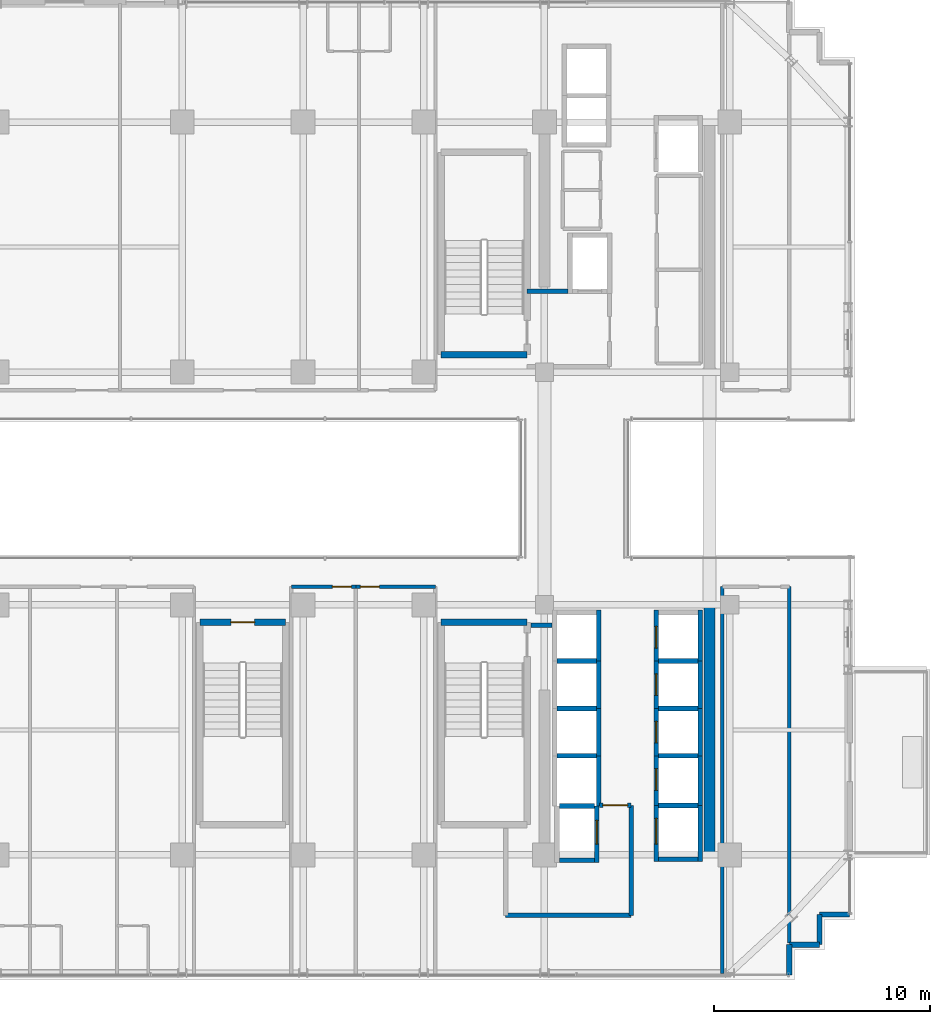
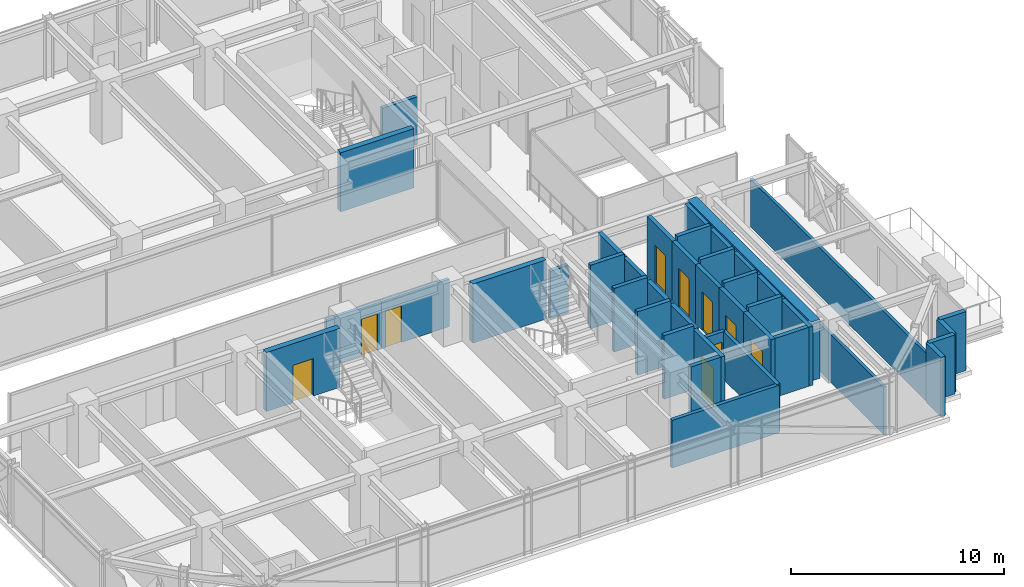
# One storey, part 30 of 36: 42 walls, 10 doors, 10 openings.
"""IFC4 building model written with IfcOpenShell, lengths in metres."""

from ifc_helpers import new_model, si_unit, direction, frame, frame_2d, origin, place, context, subcontext, project, spatial, rectangle, extrude, source, transform, mapped, material, layer, layer_set, type_object, element, fill, save


model = new_model("IFC4")

# Units and contexts
model_context = context("Model", 3, precision=1e-05, world=origin(), true_north=direction((0.0, 1.0)))
body_context = subcontext(model_context, "Body", "Model", "MODEL_VIEW")
ifc_project = project(units=[si_unit("LENGTHUNIT", "METRE"), si_unit("AREAUNIT", "SQUARE_METRE"), si_unit("VOLUMEUNIT", "CUBIC_METRE"), si_unit("PLANEANGLEUNIT", "RADIAN"), si_unit("MASSUNIT", "GRAM", prefix="KILO")], contexts=[model_context])

# Site, building, storey
site_placement = place(None, origin())
site = spatial("IfcSite", under=ifc_project, at=site_placement, CompositionType="ELEMENT")
building_placement = place(site_placement, origin())
building = spatial("IfcBuilding", under=site, at=building_placement, Name="Nahalor Promenade Grand Hotel", CompositionType="ELEMENT")
storey_placement = place(building_placement, frame((0.0, 0.0, 174.550048828125)))
storey = spatial("IfcBuildingStorey", under=building, at=storey_placement, Name="L44", CompositionType="ELEMENT", Elevation=174.550048828125)

# Walls
ifc_material_1 = material(Name="Concrete B-60 (C50/60)", Category="concrete")
ifc_layer_1 = layer(ifc_material_1, 0.5)
ifc_layer_set_1 = layer_set([ifc_layer_1], Name="Concrete B-60 (C50/60)")
wall_type_1 = type_object("IfcWallType", Name="Wall-CoreShear-500", PredefinedType="SHEAR", material=ifc_layer_set_1)
shared_shape_1 = source(origin(), body_context, "Body", "SweptSolid", [
    extrude(rectangle(XDim=11.60009765625, YDim=0.5, at=frame_2d((5.800048828125, 0.0))), origin(), (0.0, 0.0, 1.0), 3.389892578125),
])
wall_1_placement = place(storey_placement, frame((16.050048828125, -17.0, 0.0), z_axis=(0.0, 0.0, 1.0), x_axis=(0.0, 1.0, 0.0)))
element("IfcWall", 1, at=wall_1_placement, inside=storey, type_object=wall_type_1, Name="CWALL-L44-SE", PredefinedType="SHEAR", context=body_context, shape_type="MappedRepresentation", body=[
    mapped(shared_shape_1, transform((0.0, 0.0, 0.0), scale=1.0)),
])
ifc_material_2 = material(Name="Concrete B-50 (C40/50)", Category="concrete")
ifc_layer_2 = layer(ifc_material_2, 0.300048828125)
ifc_layer_set_2 = layer_set([ifc_layer_2], Name="Concrete B-50 (C40/50)")
wall_type_2 = type_object("IfcWallType", Name="Wall-ShaftShear-300", PredefinedType="SHEAR", material=ifc_layer_set_2)
shared_shape_2 = source(origin(), body_context, "Body", "SweptSolid", [
    extrude(rectangle(XDim=3.97998046875, YDim=0.300048828125, at=frame_2d((1.989990234375, 0.0))), origin(), (0.0, 0.0, 1.0), 3.389892578125),
])
for number, where, z_axis, x_axis, name in (
    (2, (3.610107421875, 6.2099609375, 0.0), (0.0, 0.0, 1.0), (1.0, 0.0, 0.0), "L44 Exit Stair ST1 Shaft Wall S"),
    (3, (3.610107421875, -6.2099609375, 0.0), (0.0, 0.0, 1.0), (1.0, 0.0, 0.0), "L44 Exit Stair ST2 Shaft Wall N"),
):
    element("IfcWall", number, at=place(storey_placement, frame(where, z_axis=z_axis, x_axis=x_axis)), inside=storey, type_object=wall_type_2, Name=name, PredefinedType="SHEAR", context=body_context, shape_type="MappedRepresentation", body=[
        mapped(shared_shape_2, transform((0.0, 0.0, 0.0), scale=1.0)),
    ])

# Wall, opening, door
wall_2_placement = place(storey_placement, frame((-7.590087890625, -6.2099609375, 0.0), z_axis=(0.0, 0.0, 1.0), x_axis=(1.0, 0.0, 0.0)))
wall_2 = element("IfcWall", 4, at=wall_2_placement, inside=storey, type_object=wall_type_2, Name="L44 Exit Stair ST3 Shaft Wall N", PredefinedType="SHEAR", context=body_context, shape_type="MappedRepresentation", body=[
    mapped(shared_shape_2, transform((0.0, 0.0, 0.0), scale=1.0)),
])
opening_1_placement = place(wall_2_placement, frame((1.43994140625, 0.0, 0.0)))
opening_1 = element("IfcOpeningElement", 5, at=opening_1_placement, cuts=wall_2, Name="Opening D-ST1", PredefinedType="OPENING", context=body_context, shape_type="SweptSolid", body=[
    extrude(rectangle(XDim=1.10009765625, YDim=2.14990234375, at=frame_2d((0.550048828125, 1.074951171875))), frame((0.0, 0.159912109375, 0.0), z_axis=(0.0, -1.0, 0.0), x_axis=(1.0, 0.0, 0.0)), (0.0, 0.0, 1.0), 0.320068359375),
])
ifc_material_3 = material(Name="Steel S355JR", Category="steel")
door_type_1 = type_object("IfcDoorType", Name="Door-StairFire-1100", OperationType="NOTDEFINED", PredefinedType="DOOR", material=ifc_material_3)
shared_shape_3 = source(origin(), body_context, "Body", "SweptSolid", [
    extrude(rectangle(XDim=1.10009765625, YDim=2.14990234375, at=frame_2d((0.550048828125, 1.074951171875))), frame((0.0, 0.02490234375, 0.0), z_axis=(0.0, -1.0, 0.0), x_axis=(1.0, 0.0, 0.0)), (0.0, 0.0, 1.0), 0.050048828125),
])
door_1_placement = place(opening_1_placement, frame((1.10009765625, 0.0, 0.0), z_axis=(0.0, 0.0, 1.0), x_axis=(-1.0, 0.0, 0.0)))
door_1 = element("IfcDoor", 6, at=door_1_placement, inside=storey, type_object=door_type_1, Name="DR-STAIR-ST3-L44", OperationType="SINGLE_SWING_LEFT", OverallHeight=2.14990234375, OverallWidth=1.10009765625, PredefinedType="DOOR", context=body_context, shape_type="MappedRepresentation", body=[
    mapped(shared_shape_3, transform((0.0, 0.0, 0.0), scale=1.0)),
])
fill(opening_1, door_1)

# Walls
ifc_layer_3 = layer(ifc_material_2, 0.219970703125)
ifc_layer_set_3 = layer_set([ifc_layer_3], Name="Concrete B-50 (C40/50)")
wall_type_3 = type_object("IfcWallType", Name="Wall-LiftShaft-220", PredefinedType="SHEAR", material=ifc_layer_set_3)
shared_shape_4 = source(origin(), body_context, "Body", "SweptSolid", [
    extrude(rectangle(XDim=1.820068359375, YDim=0.219970703125, at=frame_2d((0.91015625, 0.0))), origin(), (0.0, 0.0, 1.0), 3.64990234375),
])
for number, where, z_axis, x_axis, name in (
    (7, (13.68994140625, -8.0, 0.0), (0.0, 0.0, 1.0), (1.0, 0.0, 0.0), "L44 Lift PL6 Hoistway Wall N"),
    (8, (13.68994140625, -10.199951171875, 0.0), (0.0, 0.0, 1.0), (1.0, 0.0, 0.0), "L44 Lift PL7 Hoistway Wall N"),
    (9, (13.68994140625, -12.39990234375, 0.0), (0.0, 0.0, 1.0), (1.0, 0.0, 0.0), "L44 Lift PL8 Hoistway Wall N"),
    (10, (8.989990234375, -8.0, 0.0), (0.0, 0.0, 1.0), (1.0, 0.0, 0.0), "L44 Lift PL10 Hoistway Wall N"),
    (11, (8.989990234375, -10.199951171875, 0.0), (0.0, 0.0, 1.0), (1.0, 0.0, 0.0), "L44 Lift PL11 Hoistway Wall N"),
    (12, (8.989990234375, -12.39990234375, 0.0), (0.0, 0.0, 1.0), (1.0, 0.0, 0.0), "L44 Lift PL12 Hoistway Wall N"),
    (13, (13.68994140625, -14.699951171875, 0.0), (0.0, 0.0, 1.0), (1.0, 0.0, 0.0), "L44 Lift SV2 Hoistway Wall N"),
):
    element("IfcWall", number, at=place(storey_placement, frame(where, z_axis=z_axis, x_axis=x_axis)), inside=storey, type_object=wall_type_3, Name=name, PredefinedType="SHEAR", context=body_context, shape_type="MappedRepresentation", body=[
        mapped(shared_shape_4, transform((0.0, 0.0, 0.0), scale=1.0)),
    ])

# Wall, opening, door
shared_shape_5 = source(origin(), body_context, "Body", "SweptSolid", [
    extrude(rectangle(XDim=2.360107421875, YDim=0.219970703125, at=frame_2d((1.18017578125, 0.0))), origin(), (0.0, 0.0, 1.0), 3.389892578125),
])
wall_3_placement = place(storey_placement, frame((13.580078125, -8.0, 0.0), z_axis=(0.0, 0.0, 1.0), x_axis=(0.0, 1.0, 0.0)))
wall_3 = element("IfcWall", 14, at=wall_3_placement, inside=storey, type_object=wall_type_3, Name="L44 Lift PL5 Hoistway Wall W", PredefinedType="SHEAR", context=body_context, shape_type="MappedRepresentation", body=[
    mapped(shared_shape_5, transform((0.0, 0.0, 0.0), scale=1.0)),
])
opening_2_placement = place(wall_3_placement, frame((0.60009765625, 0.0, 0.0)))
opening_2 = element("IfcOpeningElement", 15, at=opening_2_placement, cuts=wall_3, Name="Opening LD-01", PredefinedType="OPENING", context=body_context, shape_type="SweptSolid", body=[
    extrude(rectangle(XDim=1.0, YDim=2.199951171875, at=frame_2d((0.5, 1.10009765625))), frame((0.0, 0.119873046875, 0.0), z_axis=(0.0, -1.0, 0.0), x_axis=(1.0, 0.0, 0.0)), (0.0, 0.0, 1.0), 0.239990234375),
])
door_type_2 = type_object("IfcDoorType", Name="Door-LiftLanding-1000", OperationType="DOUBLE_DOOR_SLIDING", PredefinedType="DOOR", material=ifc_material_3)
shared_shape_6 = source(origin(), body_context, "Body", "SweptSolid", [
    extrude(rectangle(XDim=1.0, YDim=2.199951171875, at=frame_2d((0.5, 1.10009765625))), frame((0.0, 0.02490234375, 0.0), z_axis=(0.0, -1.0, 0.0), x_axis=(1.0, 0.0, 0.0)), (0.0, 0.0, 1.0), 0.050048828125),
])
door_2_placement = place(opening_2_placement, origin())
door_2 = element("IfcDoor", 16, at=door_2_placement, inside=storey, type_object=door_type_2, Name="DR-LIFT-PL5-L44", OperationType="DOUBLE_DOOR_SLIDING", OverallHeight=2.199951171875, OverallWidth=1.0, PredefinedType="DOOR", context=body_context, shape_type="MappedRepresentation", body=[
    mapped(shared_shape_6, transform((0.0, 0.0, 0.0), scale=1.0)),
])
fill(opening_2, door_2)

# Walls
for number, where, z_axis, x_axis, name in (
    (17, (15.6201171875, -8.0, 0.0), (0.0, 0.0, 1.0), (0.0, 1.0, 0.0), "L44 Lift PL5 Hoistway Wall E"),
    (18, (10.919921875, -8.0, 0.0), (0.0, 0.0, 1.0), (0.0, 1.0, 0.0), "L44 Lift PL9 Hoistway Wall E"),
):
    element("IfcWall", number, at=place(storey_placement, frame(where, z_axis=z_axis, x_axis=x_axis)), inside=storey, type_object=wall_type_3, Name=name, PredefinedType="SHEAR", context=body_context, shape_type="MappedRepresentation", body=[
        mapped(shared_shape_5, transform((0.0, 0.0, 0.0), scale=1.0)),
    ])
shared_shape_7 = source(origin(), body_context, "Body", "SweptSolid", [
    extrude(rectangle(XDim=1.820068359375, YDim=0.219970703125, at=frame_2d((0.91015625, 0.0))), origin(), (0.0, 0.0, 1.0), 3.389892578125),
])
wall_4_placement = place(storey_placement, frame((13.68994140625, -17.199951171875, 0.0), z_axis=(0.0, 0.0, 1.0), x_axis=(1.0, 0.0, 0.0)))
element("IfcWall", 19, at=wall_4_placement, inside=storey, type_object=wall_type_3, Name="L44 Lift SV2 Hoistway Wall S", PredefinedType="SHEAR", context=body_context, shape_type="MappedRepresentation", body=[
    mapped(shared_shape_7, transform((0.0, 0.0, 0.0), scale=1.0)),
])

# Wall, opening, door
shared_shape_8 = source(origin(), body_context, "Body", "SweptSolid", [
    extrude(rectangle(XDim=2.199951171875, YDim=0.219970703125, at=frame_2d((1.10009765625, 0.0))), origin(), (0.0, 0.0, 1.0), 3.389892578125),
])
wall_5_placement = place(storey_placement, frame((13.580078125, -10.199951171875, 0.0), z_axis=(0.0, 0.0, 1.0), x_axis=(0.0, 1.0, 0.0)))
wall_5 = element("IfcWall", 20, at=wall_5_placement, inside=storey, type_object=wall_type_3, Name="L44 Lift PL6 Hoistway Wall W", PredefinedType="SHEAR", context=body_context, shape_type="MappedRepresentation", body=[
    mapped(shared_shape_8, transform((0.0, 0.0, 0.0), scale=1.0)),
])
opening_3_placement = place(wall_5_placement, frame((0.60009765625, 0.0, 0.0)))
opening_3 = element("IfcOpeningElement", 21, at=opening_3_placement, cuts=wall_5, Name="Opening LD-01", PredefinedType="OPENING", context=body_context, shape_type="SweptSolid", body=[
    extrude(rectangle(XDim=1.0, YDim=2.199951171875, at=frame_2d((0.5, 1.10009765625))), frame((0.0, 0.119873046875, 0.0), z_axis=(0.0, -1.0, 0.0), x_axis=(1.0, 0.0, 0.0)), (0.0, 0.0, 1.0), 0.239990234375),
])
door_3_placement = place(opening_3_placement, origin())
door_3 = element("IfcDoor", 22, at=door_3_placement, inside=storey, type_object=door_type_2, Name="DR-LIFT-PL6-L44", OperationType="DOUBLE_DOOR_SLIDING", OverallHeight=2.199951171875, OverallWidth=1.0, PredefinedType="DOOR", context=body_context, shape_type="MappedRepresentation", body=[
    mapped(shared_shape_6, transform((0.0, 0.0, 0.0), scale=1.0)),
])
fill(opening_3, door_3)

# Wall
wall_6_placement = place(storey_placement, frame((15.6201171875, -10.199951171875, 0.0), z_axis=(0.0, 0.0, 1.0), x_axis=(0.0, 1.0, 0.0)))
element("IfcWall", 23, at=wall_6_placement, inside=storey, type_object=wall_type_3, Name="L44 Lift PL6 Hoistway Wall E", PredefinedType="SHEAR", context=body_context, shape_type="MappedRepresentation", body=[
    mapped(shared_shape_8, transform((0.0, 0.0, 0.0), scale=1.0)),
])

# Wall, opening, door
wall_7_placement = place(storey_placement, frame((13.580078125, -12.39990234375, 0.0), z_axis=(0.0, 0.0, 1.0), x_axis=(0.0, 1.0, 0.0)))
wall_7 = element("IfcWall", 24, at=wall_7_placement, inside=storey, type_object=wall_type_3, Name="L44 Lift PL7 Hoistway Wall W", PredefinedType="SHEAR", context=body_context, shape_type="MappedRepresentation", body=[
    mapped(shared_shape_8, transform((0.0, 0.0, 0.0), scale=1.0)),
])
opening_4_placement = place(wall_7_placement, frame((0.60009765625, 0.0, 0.0)))
opening_4 = element("IfcOpeningElement", 25, at=opening_4_placement, cuts=wall_7, Name="Opening LD-01", PredefinedType="OPENING", context=body_context, shape_type="SweptSolid", body=[
    extrude(rectangle(XDim=1.0, YDim=2.199951171875, at=frame_2d((0.5, 1.10009765625))), frame((0.0, 0.119873046875, 0.0), z_axis=(0.0, -1.0, 0.0), x_axis=(1.0, 0.0, 0.0)), (0.0, 0.0, 1.0), 0.239990234375),
])
door_4_placement = place(opening_4_placement, origin())
door_4 = element("IfcDoor", 26, at=door_4_placement, inside=storey, type_object=door_type_2, Name="DR-LIFT-PL7-L44", OperationType="DOUBLE_DOOR_SLIDING", OverallHeight=2.199951171875, OverallWidth=1.0, PredefinedType="DOOR", context=body_context, shape_type="MappedRepresentation", body=[
    mapped(shared_shape_6, transform((0.0, 0.0, 0.0), scale=1.0)),
])
fill(opening_4, door_4)

# Walls
for number, where, z_axis, x_axis, name in (
    (27, (15.6201171875, -12.39990234375, 0.0), (0.0, 0.0, 1.0), (0.0, 1.0, 0.0), "L44 Lift PL7 Hoistway Wall E"),
    (28, (10.919921875, -10.199951171875, 0.0), (0.0, 0.0, 1.0), (0.0, 1.0, 0.0), "L44 Lift PL10 Hoistway Wall E"),
    (29, (10.919921875, -12.39990234375, 0.0), (0.0, 0.0, 1.0), (0.0, 1.0, 0.0), "L44 Lift PL11 Hoistway Wall E"),
):
    element("IfcWall", number, at=place(storey_placement, frame(where, z_axis=z_axis, x_axis=x_axis)), inside=storey, type_object=wall_type_3, Name=name, PredefinedType="SHEAR", context=body_context, shape_type="MappedRepresentation", body=[
        mapped(shared_shape_8, transform((0.0, 0.0, 0.0), scale=1.0)),
    ])

# Wall, opening, door
shared_shape_9 = source(origin(), body_context, "Body", "SweptSolid", [
    extrude(rectangle(XDim=2.300048828125, YDim=0.219970703125, at=frame_2d((1.14990234375, 0.0))), origin(), (0.0, 0.0, 1.0), 3.389892578125),
])
wall_8_placement = place(storey_placement, frame((13.580078125, -14.699951171875, 0.0), z_axis=(0.0, 0.0, 1.0), x_axis=(0.0, 1.0, 0.0)))
wall_8 = element("IfcWall", 30, at=wall_8_placement, inside=storey, type_object=wall_type_3, Name="L44 Lift PL8 Hoistway Wall W", PredefinedType="SHEAR", context=body_context, shape_type="MappedRepresentation", body=[
    mapped(shared_shape_9, transform((0.0, 0.0, 0.0), scale=1.0)),
])
opening_5_placement = place(wall_8_placement, frame((0.699951171875, 0.0, 0.0)))
opening_5 = element("IfcOpeningElement", 31, at=opening_5_placement, cuts=wall_8, Name="Opening LD-01", PredefinedType="OPENING", context=body_context, shape_type="SweptSolid", body=[
    extrude(rectangle(XDim=1.0, YDim=2.199951171875, at=frame_2d((0.5, 1.10009765625))), frame((0.0, 0.119873046875, 0.0), z_axis=(0.0, -1.0, 0.0), x_axis=(1.0, 0.0, 0.0)), (0.0, 0.0, 1.0), 0.239990234375),
])
door_5_placement = place(opening_5_placement, origin())
door_5 = element("IfcDoor", 32, at=door_5_placement, inside=storey, type_object=door_type_2, Name="DR-LIFT-PL8-L44", OperationType="DOUBLE_DOOR_SLIDING", OverallHeight=2.199951171875, OverallWidth=1.0, PredefinedType="DOOR", context=body_context, shape_type="MappedRepresentation", body=[
    mapped(shared_shape_6, transform((0.0, 0.0, 0.0), scale=1.0)),
])
fill(opening_5, door_5)

# Walls
wall_9_placement = place(storey_placement, frame((15.6201171875, -14.699951171875, 0.0), z_axis=(0.0, 0.0, 1.0), x_axis=(0.0, 1.0, 0.0)))
element("IfcWall", 33, at=wall_9_placement, inside=storey, type_object=wall_type_3, Name="L44 Lift PL8 Hoistway Wall E", PredefinedType="SHEAR", context=body_context, shape_type="MappedRepresentation", body=[
    mapped(shared_shape_9, transform((0.0, 0.0, 0.0), scale=1.0)),
])
shared_shape_10 = source(origin(), body_context, "Body", "SweptSolid", [
    extrude(rectangle(XDim=2.3251953125, YDim=0.219970703125, at=frame_2d((1.16259765625, 0.0))), origin(), (0.0, 0.0, 1.0), 3.389892578125),
])
wall_10_placement = place(storey_placement, frame((10.919921875, -14.72509765625, 0.0), z_axis=(0.0, 0.0, 1.0), x_axis=(0.0, 1.0, 0.0)))
element("IfcWall", 34, at=wall_10_placement, inside=storey, type_object=wall_type_3, Name="L44 Lift PL12 Hoistway Wall E", PredefinedType="SHEAR", context=body_context, shape_type="MappedRepresentation", body=[
    mapped(shared_shape_10, transform((0.0, 0.0, 0.0), scale=1.0)),
])
shared_shape_11 = source(origin(), body_context, "Body", "SweptSolid", [
    extrude(rectangle(XDim=1.619873046875, YDim=0.219970703125, at=frame_2d((0.81005859375, 0.0))), origin(), (0.0, 0.0, 1.0), 3.64990234375),
])
wall_11_placement = place(storey_placement, frame((9.090087890625, -14.72509765625, 0.0), z_axis=(0.0, 0.0, 1.0), x_axis=(1.0, 0.0, 0.0)))
element("IfcWall", 35, at=wall_11_placement, inside=storey, type_object=wall_type_3, Name="L44 Lift FL2 Hoistway Wall N", PredefinedType="SHEAR", context=body_context, shape_type="MappedRepresentation", body=[
    mapped(shared_shape_11, transform((0.0, 0.0, 0.0), scale=1.0)),
])

# Wall, opening, door
shared_shape_12 = source(origin(), body_context, "Body", "SweptSolid", [
    extrude(rectangle(XDim=2.635009765625, YDim=0.219970703125, at=frame_2d((1.3173828125, 0.0))), origin(), (0.0, 0.0, 1.0), 3.389892578125),
])
wall_12_placement = place(storey_placement, frame((10.820068359375, -17.360107421875, 0.0), z_axis=(0.0, 0.0, 1.0), x_axis=(0.0, 1.0, 0.0)))
wall_12 = element("IfcWall", 36, at=wall_12_placement, inside=storey, type_object=wall_type_3, Name="L44 Lift FL2 Hoistway Wall E", PredefinedType="SHEAR", context=body_context, shape_type="MappedRepresentation", body=[
    mapped(shared_shape_12, transform((0.0, 0.0, 0.0), scale=1.0)),
])
opening_6_placement = place(wall_12_placement, frame((0.860107421875, 0.0, 0.0)))
opening_6 = element("IfcOpeningElement", 37, at=opening_6_placement, cuts=wall_12, Name="Opening LD-02", PredefinedType="OPENING", context=body_context, shape_type="SweptSolid", body=[
    extrude(rectangle(XDim=1.10009765625, YDim=2.199951171875, at=frame_2d((0.550048828125, 1.10009765625))), frame((0.0, 0.119873046875, 0.0), z_axis=(0.0, -1.0, 0.0), x_axis=(1.0, 0.0, 0.0)), (0.0, 0.0, 1.0), 0.239990234375),
])
door_type_3 = type_object("IfcDoorType", Name="Door-LiftFF-1100", OperationType="DOUBLE_DOOR_SLIDING", PredefinedType="DOOR", material=ifc_material_3)
shared_shape_13 = source(origin(), body_context, "Body", "SweptSolid", [
    extrude(rectangle(XDim=1.10009765625, YDim=2.199951171875, at=frame_2d((0.550048828125, 1.10009765625))), frame((0.0, 0.02490234375, 0.0), z_axis=(0.0, -1.0, 0.0), x_axis=(1.0, 0.0, 0.0)), (0.0, 0.0, 1.0), 0.050048828125),
])
door_6_placement = place(opening_6_placement, frame((1.10009765625, 0.0, 0.0), z_axis=(0.0, 0.0, 1.0), x_axis=(-1.0, 0.0, 0.0)))
door_6 = element("IfcDoor", 38, at=door_6_placement, inside=storey, type_object=door_type_3, Name="DR-LIFT-FL2-L44", OperationType="DOUBLE_DOOR_SLIDING", OverallHeight=2.199951171875, OverallWidth=1.10009765625, PredefinedType="DOOR", context=body_context, shape_type="MappedRepresentation", body=[
    mapped(shared_shape_13, transform((0.0, 0.0, 0.0), scale=1.0)),
])
fill(opening_6, door_6)

# Wall
shared_shape_14 = source(origin(), body_context, "Body", "SweptSolid", [
    extrude(rectangle(XDim=1.619873046875, YDim=0.219970703125, at=frame_2d((0.81005859375, 0.0))), origin(), (0.0, 0.0, 1.0), 3.389892578125),
])
wall_13_placement = place(storey_placement, frame((9.090087890625, -17.25, 0.0), z_axis=(0.0, 0.0, 1.0), x_axis=(1.0, 0.0, 0.0)))
element("IfcWall", 39, at=wall_13_placement, inside=storey, type_object=wall_type_3, Name="L44 Lift FL2 Hoistway Wall S", PredefinedType="SHEAR", context=body_context, shape_type="MappedRepresentation", body=[
    mapped(shared_shape_14, transform((0.0, 0.0, 0.0), scale=1.0)),
])

# Wall, opening, door
shared_shape_15 = source(origin(), body_context, "Body", "SweptSolid", [
    extrude(rectangle(XDim=2.610107421875, YDim=0.219970703125, at=frame_2d((1.30517578125, 0.0))), origin(), (0.0, 0.0, 1.0), 3.389892578125),
])
wall_14_placement = place(storey_placement, frame((13.580078125, -17.31005859375, 0.0), z_axis=(0.0, 0.0, 1.0), x_axis=(0.0, 1.0, 0.0)))
wall_14 = element("IfcWall", 40, at=wall_14_placement, inside=storey, type_object=wall_type_3, Name="L44 Lift SV2 Hoistway Wall W", PredefinedType="SHEAR", context=body_context, shape_type="MappedRepresentation", body=[
    mapped(shared_shape_15, transform((0.0, 0.0, 0.0), scale=1.0)),
])
opening_7_placement = place(wall_14_placement, frame((0.81005859375, 0.0, 0.0)))
opening_7 = element("IfcOpeningElement", 41, at=opening_7_placement, cuts=wall_14, Name="Opening LD-03", PredefinedType="OPENING", context=body_context, shape_type="SweptSolid", body=[
    extrude(rectangle(XDim=1.199951171875, YDim=2.199951171875, at=frame_2d((0.60009765625, 1.10009765625))), frame((0.0, 0.119873046875, 0.0), z_axis=(0.0, -1.0, 0.0), x_axis=(1.0, 0.0, 0.0)), (0.0, 0.0, 1.0), 0.239990234375),
])
door_type_4 = type_object("IfcDoorType", Name="Door-LiftService-1200", OperationType="DOUBLE_DOOR_SLIDING", PredefinedType="DOOR", material=ifc_material_3)
shared_shape_16 = source(origin(), body_context, "Body", "SweptSolid", [
    extrude(rectangle(XDim=1.199951171875, YDim=2.199951171875, at=frame_2d((0.60009765625, 1.10009765625))), frame((0.0, 0.02490234375, 0.0), z_axis=(0.0, -1.0, 0.0), x_axis=(1.0, 0.0, 0.0)), (0.0, 0.0, 1.0), 0.050048828125),
])
door_7_placement = place(opening_7_placement, origin())
door_7 = element("IfcDoor", 42, at=door_7_placement, inside=storey, type_object=door_type_4, Name="DR-LIFT-SV2-L44", OperationType="DOUBLE_DOOR_SLIDING", OverallHeight=2.199951171875, OverallWidth=1.199951171875, PredefinedType="DOOR", context=body_context, shape_type="MappedRepresentation", body=[
    mapped(shared_shape_16, transform((0.0, 0.0, 0.0), scale=1.0)),
])
fill(opening_7, door_7)

# Walls
wall_15_placement = place(storey_placement, frame((15.6201171875, -17.31005859375, 0.0), z_axis=(0.0, 0.0, 1.0), x_axis=(0.0, 1.0, 0.0)))
element("IfcWall", 43, at=wall_15_placement, inside=storey, type_object=wall_type_3, Name="L44 Lift SV2 Hoistway Wall E", PredefinedType="SHEAR", context=body_context, shape_type="MappedRepresentation", body=[
    mapped(shared_shape_15, transform((0.0, 0.0, 0.0), scale=1.0)),
])
ifc_material_4 = material(Name="Concrete B-40 (C32/40)", Category="concrete")
ifc_layer_4 = layer(ifc_material_4, 0.25)
ifc_layer_set_4 = layer_set([ifc_layer_4], Name="Concrete B-40 (C32/40)")
wall_type_4 = type_object("IfcWallType", Name="Wall-BronzePier-250", PredefinedType="STANDARD", material=ifc_layer_set_4)
shared_shape_17 = source(origin(), body_context, "Body", "SweptSolid", [
    extrude(rectangle(XDim=1.400146484375, YDim=0.25, at=frame_2d((0.7001953125, 0.0))), origin(), (0.0, 0.0, 1.0), 3.389892578125),
])
for number, where, z_axis, x_axis, name in (
    (44, (19.760009765625, -22.56005859375, 0.0), (0.0, 0.0, 1.0), (0.0, 1.0, 0.0), "W-L44-SR-01"),
    (45, (21.159912109375, -19.760009765625, 0.0), (0.0, 0.0, 1.0), (1.0, 0.0, 0.0), "W-L44-SR-04"),
):
    element("IfcWall", number, at=place(storey_placement, frame(where, z_axis=z_axis, x_axis=x_axis)), inside=storey, type_object=wall_type_4, Name=name, PredefinedType="STANDARD", context=body_context, shape_type="MappedRepresentation", body=[
        mapped(shared_shape_17, transform((0.0, 0.0, 0.0), scale=1.0)),
    ])
shared_shape_18 = source(origin(), body_context, "Body", "SweptSolid", [
    extrude(rectangle(XDim=1.39990234375, YDim=0.25, at=frame_2d((0.699951171875, 0.0))), origin(), (0.0, 0.0, 1.0), 3.389892578125),
])
for number, where, z_axis, x_axis, name in (
    (46, (19.760009765625, -21.159912109375, 0.0), (0.0, 0.0, 1.0), (1.0, 0.0, 0.0), "W-L44-SR-02"),
    (47, (21.159912109375, -21.159912109375, 0.0), (0.0, 0.0, 1.0), (0.0, 1.0, 0.0), "W-L44-SR-03"),
):
    element("IfcWall", number, at=place(storey_placement, frame(where, z_axis=z_axis, x_axis=x_axis)), inside=storey, type_object=wall_type_4, Name=name, PredefinedType="STANDARD", context=body_context, shape_type="MappedRepresentation", body=[
        mapped(shared_shape_18, transform((0.0, 0.0, 0.0), scale=1.0)),
    ])
ifc_layer_5 = layer(ifc_material_4, 0.199951171875)
ifc_layer_set_5 = layer_set([ifc_layer_5], Name="Concrete B-40 (C32/40)")
wall_type_5 = type_object("IfcWallType", Name="Wall-PartFire-200", PredefinedType="PARTITIONING", material=ifc_layer_set_5)
shared_shape_19 = source(origin(), body_context, "Body", "SweptSolid", [
    extrude(rectangle(XDim=1.89990234375, YDim=0.199951171875, at=frame_2d((0.949951171875, 0.0))), origin(), (0.0, 0.0, 1.0), 2.72998046875),
])
wall_16_placement = place(storey_placement, frame((7.60009765625, 9.14990234375, 0.0), z_axis=(0.0, 0.0, 1.0), x_axis=(1.0, 0.0, 0.0)))
element("IfcWall", 48, at=wall_16_placement, inside=storey, type_object=wall_type_5, Name="W-L44-FF1-N", PredefinedType="PARTITIONING", context=body_context, shape_type="MappedRepresentation", body=[
    mapped(shared_shape_19, transform((0.0, 0.0, 0.0), scale=1.0)),
])
shared_shape_20 = source(origin(), body_context, "Body", "SweptSolid", [
    extrude(rectangle(XDim=5.81982421875, YDim=0.199951171875, at=frame_2d((2.909912109375, 0.0))), origin(), (0.0, 0.0, 1.0), 2.72998046875),
])
wall_17_placement = place(storey_placement, frame((6.60009765625, -19.800048828125, 0.0), z_axis=(0.0, 0.0, 1.0), x_axis=(1.0, 0.0, 0.0)))
element("IfcWall", 49, at=wall_17_placement, inside=storey, type_object=wall_type_5, Name="W-L44-FF2-S1", PredefinedType="PARTITIONING", context=body_context, shape_type="MappedRepresentation", body=[
    mapped(shared_shape_20, transform((0.0, 0.0, 0.0), scale=1.0)),
])
shared_shape_21 = source(origin(), body_context, "Body", "SweptSolid", [
    extrude(rectangle(XDim=5.10009765625, YDim=0.199951171875, at=frame_2d((2.550048828125, 0.0))), origin(), (0.0, 0.0, 1.0), 2.72998046875),
])
wall_18_placement = place(storey_placement, frame((12.419921875, -19.800048828125, 0.0), z_axis=(0.0, 0.0, 1.0), x_axis=(0.0, 1.0, 0.0)))
element("IfcWall", 50, at=wall_18_placement, inside=storey, type_object=wall_type_5, Name="W-L44-FF2-E", PredefinedType="PARTITIONING", context=body_context, shape_type="MappedRepresentation", body=[
    mapped(shared_shape_21, transform((0.0, 0.0, 0.0), scale=1.0)),
])

# Wall, opening, door
shared_shape_22 = source(origin(), body_context, "Body", "SweptSolid", [
    extrude(rectangle(XDim=1.4599609375, YDim=0.199951171875, at=frame_2d((0.72998046875, 0.0))), origin(), (0.0, 0.0, 1.0), 2.72998046875),
])
wall_19_placement = place(storey_placement, frame((10.9599609375, -14.699951171875, 0.0), z_axis=(0.0, 0.0, 1.0), x_axis=(1.0, 0.0, 0.0)))
wall_19 = element("IfcWall", 51, at=wall_19_placement, inside=storey, type_object=wall_type_5, Name="W-L44-FF2-N1", PredefinedType="PARTITIONING", context=body_context, shape_type="MappedRepresentation", body=[
    mapped(shared_shape_22, transform((0.0, 0.0, 0.0), scale=1.0)),
])
opening_8_placement = place(wall_19_placement, frame((0.14501953125, 0.0, 0.0)))
opening_8 = element("IfcOpeningElement", 52, at=opening_8_placement, cuts=wall_19, Name="Opening D-FF1", PredefinedType="OPENING", context=body_context, shape_type="SweptSolid", body=[
    extrude(rectangle(XDim=1.14990234375, YDim=2.14990234375, at=frame_2d((0.574951171875, 1.074951171875))), frame((0.0, 0.10986328125, 0.0), z_axis=(0.0, -1.0, 0.0), x_axis=(1.0, 0.0, 0.0)), (0.0, 0.0, 1.0), 0.219970703125),
])
door_type_5 = type_object("IfcDoorType", Name="Door-FFLobby-1150", OperationType="NOTDEFINED", PredefinedType="DOOR", material=ifc_material_3)
shared_shape_23 = source(origin(), body_context, "Body", "SweptSolid", [
    extrude(rectangle(XDim=1.14990234375, YDim=2.14990234375, at=frame_2d((0.574951171875, 1.074951171875))), frame((0.0, 0.02490234375, 0.0), z_axis=(0.0, -1.0, 0.0), x_axis=(1.0, 0.0, 0.0)), (0.0, 0.0, 1.0), 0.050048828125),
])
door_8_placement = place(opening_8_placement, origin())
door_8 = element("IfcDoor", 53, at=door_8_placement, inside=storey, type_object=door_type_5, Name="DR-L44-FFL2", OperationType="SINGLE_SWING_RIGHT", OverallHeight=2.14990234375, OverallWidth=1.14990234375, PredefinedType="DOOR", context=body_context, shape_type="MappedRepresentation", body=[
    mapped(shared_shape_23, transform((0.0, 0.0, 0.0), scale=1.0)),
])
fill(opening_8, door_8)

# Walls
shared_shape_24 = source(origin(), body_context, "Body", "SweptSolid", [
    extrude(rectangle(XDim=0.969970703125, YDim=0.199951171875, at=frame_2d((0.48486328125, 0.0))), origin(), (0.0, 0.0, 1.0), 2.72998046875),
])
wall_20_placement = place(storey_placement, frame((7.77001953125, -6.35009765625, 0.0), z_axis=(0.0, 0.0, 1.0), x_axis=(1.0, 0.0, 0.0)))
element("IfcWall", 54, at=wall_20_placement, inside=storey, type_object=wall_type_5, Name="W-L44-FF2-N2", PredefinedType="PARTITIONING", context=body_context, shape_type="MappedRepresentation", body=[
    mapped(shared_shape_24, transform((0.0, 0.0, 0.0), scale=1.0)),
])
ifc_material_5 = material(Name="Acoustic Mineral Gypsum", Category="gypsum")
ifc_layer_6 = layer(ifc_material_5, 0.159912109375)
ifc_layer_set_6 = layer_set([ifc_layer_6], Name="Acoustic Mineral Gypsum")
wall_type_6 = type_object("IfcWallType", Name="Wall-PartCorridor-160", PredefinedType="PARTITIONING", material=ifc_layer_set_6)
shared_shape_25 = source(origin(), body_context, "Body", "SweptSolid", [
    extrude(rectangle(XDim=17.949951171875, YDim=0.159912109375, at=frame_2d((8.97509765625, 0.0))), origin(), (0.0, 0.0, 1.0), 2.72998046875),
])
wall_21_placement = place(storey_placement, frame((16.64990234375, -22.5, 0.0), z_axis=(0.0, 0.0, 1.0), x_axis=(0.0, 1.0, 0.0)))
element("IfcWall", 55, at=wall_21_placement, inside=storey, type_object=wall_type_6, Name="W-L44-ESE-W", PredefinedType="PARTITIONING", context=body_context, shape_type="MappedRepresentation", body=[
    mapped(shared_shape_25, transform((0.0, 0.0, 0.0), scale=1.0)),
])
shared_shape_26 = source(origin(), body_context, "Body", "SweptSolid", [
    extrude(rectangle(XDim=16.530029296875, YDim=0.159912109375, at=frame_2d((8.26513671875, 0.0))), origin(), (0.0, 0.0, 1.0), 2.72998046875),
])
wall_22_placement = place(storey_placement, frame((19.760009765625, -21.080078125, 0.0), z_axis=(0.0, 0.0, 1.0), x_axis=(0.0, 1.0, 0.0)))
element("IfcWall", 56, at=wall_22_placement, inside=storey, type_object=wall_type_6, Name="W-L44-ESE-E", PredefinedType="PARTITIONING", context=body_context, shape_type="MappedRepresentation", body=[
    mapped(shared_shape_26, transform((0.0, 0.0, 0.0), scale=1.0)),
])

# Wall, opening, door
shared_shape_27 = source(origin(), body_context, "Body", "SweptSolid", [
    extrude(rectangle(XDim=2.989990234375, YDim=0.159912109375, at=frame_2d((1.4951171875, 0.0))), origin(), (0.0, 0.0, 1.0), 2.72998046875),
])
wall_23_placement = place(storey_placement, frame((-3.340087890625, -4.550048828125, 0.0), z_axis=(0.0, 0.0, 1.0), x_axis=(1.0, 0.0, 0.0)))
wall_23 = element("IfcWall", 57, at=wall_23_placement, inside=storey, type_object=wall_type_6, Name="W-L44-SCB1-N", PredefinedType="PARTITIONING", context=body_context, shape_type="MappedRepresentation", body=[
    mapped(shared_shape_27, transform((0.0, 0.0, 0.0), scale=1.0)),
])
opening_9_placement = place(wall_23_placement, frame((1.89990234375, 0.0, 0.0)))
opening_9 = element("IfcOpeningElement", 58, at=opening_9_placement, cuts=wall_23, Name="Opening D-03", PredefinedType="OPENING", context=body_context, shape_type="SweptSolid", body=[
    extrude(rectangle(XDim=0.8798828125, YDim=2.10009765625, at=frame_2d((0.43994140625, 1.050048828125))), frame((0.0, 0.08984375, 0.0), z_axis=(0.0, -1.0, 0.0), x_axis=(1.0, 0.0, 0.0)), (0.0, 0.0, 1.0), 0.179931640625),
])
ifc_material_6 = material(Name="Fire-Rated Timber Composite", Category="wood")
door_type_6 = type_object("IfcDoorType", Name="Door-BathSwing-880", OperationType="NOTDEFINED", PredefinedType="DOOR", material=ifc_material_6)
shared_shape_28 = source(origin(), body_context, "Body", "SweptSolid", [
    extrude(rectangle(XDim=0.8798828125, YDim=2.10009765625, at=frame_2d((0.43994140625, 1.050048828125))), frame((0.0, 0.02490234375, 0.0), z_axis=(0.0, -1.0, 0.0), x_axis=(1.0, 0.0, 0.0)), (0.0, 0.0, 1.0), 0.050048828125),
])
door_9_placement = place(opening_9_placement, frame((0.8798828125, 0.0, 0.0), z_axis=(0.0, 0.0, 1.0), x_axis=(-1.0, 0.0, 0.0)))
door_9 = element("IfcDoor", 59, at=door_9_placement, inside=storey, type_object=door_type_6, Name="DR-L44-SCB1", OperationType="SINGLE_SWING_LEFT", OverallHeight=2.10009765625, OverallWidth=0.8798828125, PredefinedType="DOOR", context=body_context, shape_type="MappedRepresentation", body=[
    mapped(shared_shape_28, transform((0.0, 0.0, 0.0), scale=1.0)),
])
fill(opening_9, door_9)

shared_shape_29 = source(origin(), body_context, "Body", "SweptSolid", [
    extrude(rectangle(XDim=3.690185546875, YDim=0.159912109375, at=frame_2d((1.84521484375, 0.0))), origin(), (0.0, 0.0, 1.0), 2.72998046875),
])
wall_24_placement = place(storey_placement, frame((-0.35009765625, -4.550048828125, 0.0), z_axis=(0.0, 0.0, 1.0), x_axis=(1.0, 0.0, 0.0)))
wall_24 = element("IfcWall", 60, at=wall_24_placement, inside=storey, type_object=wall_type_6, Name="W-L44-SCB2-N", PredefinedType="PARTITIONING", context=body_context, shape_type="MappedRepresentation", body=[
    mapped(shared_shape_29, transform((0.0, 0.0, 0.0), scale=1.0)),
])
opening_10_placement = place(wall_24_placement, frame((0.2099609375, 0.0, 0.0)))
opening_10 = element("IfcOpeningElement", 61, at=opening_10_placement, cuts=wall_24, Name="Opening D-03", PredefinedType="OPENING", context=body_context, shape_type="SweptSolid", body=[
    extrude(rectangle(XDim=0.8798828125, YDim=2.10009765625, at=frame_2d((0.43994140625, 1.050048828125))), frame((0.0, 0.08984375, 0.0), z_axis=(0.0, -1.0, 0.0), x_axis=(1.0, 0.0, 0.0)), (0.0, 0.0, 1.0), 0.179931640625),
])
door_10_placement = place(opening_10_placement, frame((0.8798828125, 0.0, 0.0), z_axis=(0.0, 0.0, 1.0), x_axis=(-1.0, 0.0, 0.0)))
door_10 = element("IfcDoor", 62, at=door_10_placement, inside=storey, type_object=door_type_6, Name="DR-L44-SCB2", OperationType="SINGLE_SWING_RIGHT", OverallHeight=2.10009765625, OverallWidth=0.8798828125, PredefinedType="DOOR", context=body_context, shape_type="MappedRepresentation", body=[
    mapped(shared_shape_28, transform((0.0, 0.0, 0.0), scale=1.0)),
])
fill(opening_10, door_10)

save(model, "model.ifc")
